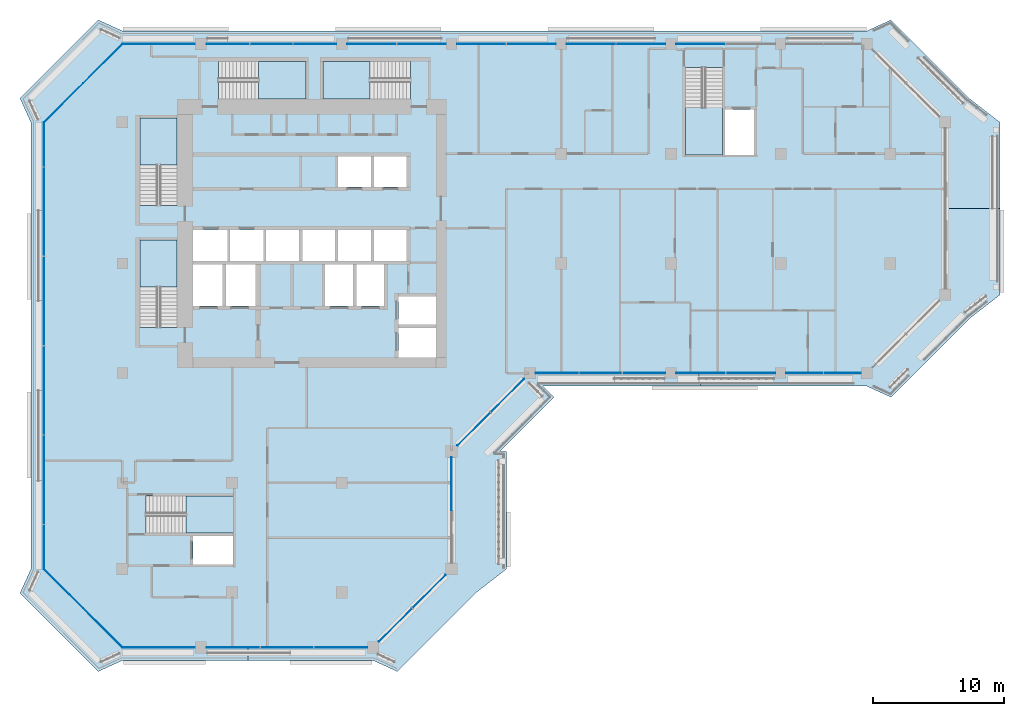
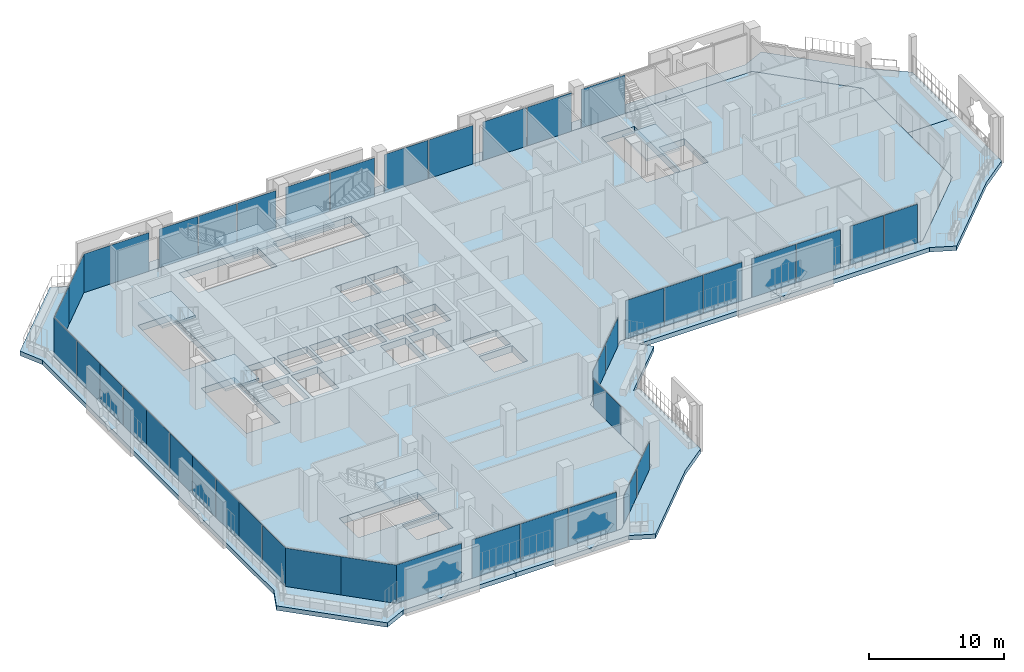
# One storey, part 8 of 20: 41 plates, 10 slabs, 15 elements without a shape of their own.
"""IFC4 building model written with IfcOpenShell, lengths in metres."""

from ifc_helpers import new_model, si_unit, direction, frame, origin, origin_2d, place, context, subcontext, project, spatial, polyline, rectangle, outline, extrude, material, layer, layer_set, type_object, element, aggregate, save


model = new_model("IFC4")

# Units and contexts
model_context = context("Model", 3, precision=1e-05, world=origin(), true_north=direction((0.0, 1.0)))
body_context = subcontext(model_context, "Body", "Model", "MODEL_VIEW")
ifc_project = project(units=[si_unit("LENGTHUNIT", "METRE"), si_unit("AREAUNIT", "SQUARE_METRE"), si_unit("VOLUMEUNIT", "CUBIC_METRE"), si_unit("PLANEANGLEUNIT", "RADIAN"), si_unit("MASSUNIT", "GRAM", prefix="KILO")], contexts=[model_context])

# Site, building, storey
site_placement = place(None, origin())
site = spatial("IfcSite", under=ifc_project, at=site_placement, CompositionType="ELEMENT")
building_placement = place(site_placement, origin())
building = spatial("IfcBuilding", under=site, at=building_placement, Name="Kawkab Arch Medical Tower", CompositionType="ELEMENT")
storey_placement = place(building_placement, frame((0.0, 0.0, 239.0)))
storey = spatial("IfcBuildingStorey", under=building, at=storey_placement, Name="L55", CompositionType="ELEMENT", Elevation=239.0)

# Curtain wall, plates
ifc_material_1 = material(Name="Bronze anodised aluminium curtain wall frame", Category="aluminium")
ifc_layer_1 = layer(ifc_material_1, 0.159912109375)
ifc_layer_set_1 = layer_set([ifc_layer_1], Name="Bronze anodised aluminium curtain wall frame")
curtain_wall_type_1 = type_object("IfcCurtainWallType", Name="CW1 ward curtain wall", PredefinedType="NOTDEFINED", material=ifc_layer_set_1)
placement_1 = place(storey_placement, origin())
curtain_wall_1 = element("IfcCurtainWall", 1, at=placement_1, inside=storey, type_object=curtain_wall_type_1, Name="CW1 Ward curtain wall R01", PredefinedType="NOTDEFINED")
ifc_material_2 = material(Name="Tinted insulating glass, bronze low-e coating", Category="glass")
ifc_layer_2 = layer(ifc_material_2, 0.031982421875)
ifc_layer_set_2 = layer_set([ifc_layer_2], Name="Tinted insulating glass, bronze low-e coating")
plate_type_1 = type_object("IfcPlateType", Name="CW1 glazing unit 32", PredefinedType="CURTAIN_PANEL", material=ifc_layer_set_2)
plate_1_placement = place(storey_placement, frame((-6.0, -7.695068359375, 0.0), z_axis=(0.0, 0.0, 1.0), x_axis=(0.0, -1.0, 0.0)))
plate_1 = element("IfcPlate", 2, at=plate_1_placement, type_object=plate_type_1, Name="CW1 glazing unit 1.1", PredefinedType="CURTAIN_PANEL", context=body_context, shape_type="SweptSolid", body=[
    extrude(rectangle(XDim=3.389892578125, YDim=0.031982421875, at=origin_2d()), origin(), (0.0, 0.0, 1.0), 3.47998046875),
])
plate_2_placement = place(storey_placement, frame((-6.0, -11.14501953125, 0.0), z_axis=(0.0, 0.0, 1.0), x_axis=(0.0, -1.0, 0.0)))
plate_2 = element("IfcPlate", 3, at=plate_2_placement, type_object=plate_type_1, Name="CW1 glazing unit 1.2", PredefinedType="CURTAIN_PANEL", context=body_context, shape_type="SweptSolid", body=[
    extrude(rectangle(XDim=3.389892578125, YDim=0.031982421875, at=origin_2d()), origin(), (0.0, 0.0, 1.0), 3.47998046875),
])
plate_3_placement = place(storey_placement, frame((-6.0, -14.534912109375, 0.0), z_axis=(0.0, 0.0, 1.0), x_axis=(0.0, -1.0, 0.0)))
plate_3 = element("IfcPlate", 4, at=plate_3_placement, type_object=plate_type_1, Name="CW1 glazing unit 2.1", PredefinedType="CURTAIN_PANEL", context=body_context, shape_type="SweptSolid", body=[
    extrude(rectangle(XDim=3.389892578125, YDim=0.031982421875, at=origin_2d()), origin(), (0.0, 0.0, 1.0), 3.47998046875),
])
plate_4_placement = place(storey_placement, frame((-6.0, -17.985107421875, 0.0), z_axis=(0.0, 0.0, 1.0), x_axis=(0.0, -1.0, 0.0)))
plate_4 = element("IfcPlate", 5, at=plate_4_placement, type_object=plate_type_1, Name="CW1 glazing unit 2.2", PredefinedType="CURTAIN_PANEL", context=body_context, shape_type="SweptSolid", body=[
    extrude(rectangle(XDim=3.389892578125, YDim=0.031982421875, at=origin_2d()), origin(), (0.0, 0.0, 1.0), 3.47998046875),
])
plate_5_placement = place(storey_placement, frame((-6.0, -21.375, 0.0), z_axis=(0.0, 0.0, 1.0), x_axis=(0.0, -1.0, 0.0)))
plate_5 = element("IfcPlate", 6, at=plate_5_placement, type_object=plate_type_1, Name="CW1 glazing unit 3.1", PredefinedType="CURTAIN_PANEL", context=body_context, shape_type="SweptSolid", body=[
    extrude(rectangle(XDim=3.389892578125, YDim=0.031982421875, at=origin_2d()), origin(), (0.0, 0.0, 1.0), 3.47998046875),
])
plate_6_placement = place(storey_placement, frame((-6.0, -24.824951171875, 0.0), z_axis=(0.0, 0.0, 1.0), x_axis=(0.0, -1.0, 0.0)))
plate_6 = element("IfcPlate", 7, at=plate_6_placement, type_object=plate_type_1, Name="CW1 glazing unit 3.2", PredefinedType="CURTAIN_PANEL", context=body_context, shape_type="SweptSolid", body=[
    extrude(rectangle(XDim=3.389892578125, YDim=0.031982421875, at=origin_2d()), origin(), (0.0, 0.0, 1.0), 3.47998046875),
])
plate_7_placement = place(storey_placement, frame((-6.0, -28.215087890625, 0.0), z_axis=(0.0, 0.0, 1.0), x_axis=(0.0, -1.0, 0.0)))
plate_7 = element("IfcPlate", 8, at=plate_7_placement, type_object=plate_type_1, Name="CW1 glazing unit 4.1", PredefinedType="CURTAIN_PANEL", context=body_context, shape_type="SweptSolid", body=[
    extrude(rectangle(XDim=3.389892578125, YDim=0.031982421875, at=origin_2d()), origin(), (0.0, 0.0, 1.0), 3.47998046875),
])
plate_8_placement = place(storey_placement, frame((-6.0, -31.6650390625, 0.0), z_axis=(0.0, 0.0, 1.0), x_axis=(0.0, -1.0, 0.0)))
plate_8 = element("IfcPlate", 9, at=plate_8_placement, type_object=plate_type_1, Name="CW1 glazing unit 4.2", PredefinedType="CURTAIN_PANEL", context=body_context, shape_type="SweptSolid", body=[
    extrude(rectangle(XDim=3.389892578125, YDim=0.031982421875, at=origin_2d()), origin(), (0.0, 0.0, 1.0), 3.47998046875),
])
plate_9_placement = place(storey_placement, frame((-6.0, -35.054931640625, 0.0), z_axis=(0.0, 0.0, 1.0), x_axis=(0.0, -1.0, 0.0)))
plate_9 = element("IfcPlate", 10, at=plate_9_placement, type_object=plate_type_1, Name="CW1 glazing unit 5.1", PredefinedType="CURTAIN_PANEL", context=body_context, shape_type="SweptSolid", body=[
    extrude(rectangle(XDim=3.389892578125, YDim=0.031982421875, at=origin_2d()), origin(), (0.0, 0.0, 1.0), 3.47998046875),
])
plate_10_placement = place(storey_placement, frame((-6.0, -38.5048828125, 0.0), z_axis=(0.0, 0.0, 1.0), x_axis=(0.0, -1.0, 0.0)))
plate_10 = element("IfcPlate", 11, at=plate_10_placement, type_object=plate_type_1, Name="CW1 glazing unit 5.2", PredefinedType="CURTAIN_PANEL", context=body_context, shape_type="SweptSolid", body=[
    extrude(rectangle(XDim=3.389892578125, YDim=0.031982421875, at=origin_2d()), origin(), (0.0, 0.0, 1.0), 3.47998046875),
])
aggregate(curtain_wall_1, [plate_1, plate_2, plate_3, plate_4, plate_5, plate_6, plate_7, plate_8, plate_9, plate_10])

curtain_wall_2 = element("IfcCurtainWall", 12, at=placement_1, inside=storey, type_object=curtain_wall_type_1, Name="CW1 Ward curtain wall R03", PredefinedType="NOTDEFINED")
plate_11_placement = place(storey_placement, frame((2.77490234375, -46.199951171875, 0.0), z_axis=(0.0, 0.0, 1.0), x_axis=(1.0, 0.0, 0.0)))
plate_11 = element("IfcPlate", 13, at=plate_11_placement, type_object=plate_type_1, Name="CW1 glazing unit 1.1", PredefinedType="CURTAIN_PANEL", context=body_context, shape_type="SweptSolid", body=[
    extrude(rectangle(XDim=5.550048828125, YDim=0.031982421875, at=origin_2d()), origin(), (0.0, 0.0, 1.0), 3.47998046875),
])
plate_12_placement = place(storey_placement, frame((8.485107421875, -46.199951171875, 0.0), z_axis=(0.0, 0.0, 1.0), x_axis=(1.0, 0.0, 0.0)))
plate_12 = element("IfcPlate", 14, at=plate_12_placement, type_object=plate_type_1, Name="CW1 glazing unit 2.1", PredefinedType="CURTAIN_PANEL", context=body_context, shape_type="SweptSolid", body=[
    extrude(rectangle(XDim=4.070068359375, YDim=0.031982421875, at=origin_2d()), origin(), (0.0, 0.0, 1.0), 3.47998046875),
])
plate_13_placement = place(storey_placement, frame((12.60009765625, -46.199951171875, 0.0), z_axis=(0.0, 0.0, 1.0), x_axis=(1.0, 0.0, 0.0)))
plate_13 = element("IfcPlate", 15, at=plate_13_placement, type_object=plate_type_1, Name="CW1 glazing unit 2.2", PredefinedType="CURTAIN_PANEL", context=body_context, shape_type="SweptSolid", body=[
    extrude(rectangle(XDim=4.0400390625, YDim=0.031982421875, at=origin_2d()), origin(), (0.0, 0.0, 1.0), 3.47998046875),
])
plate_14_placement = place(storey_placement, frame((16.715087890625, -46.199951171875, 0.0), z_axis=(0.0, 0.0, 1.0), x_axis=(1.0, 0.0, 0.0)))
plate_14 = element("IfcPlate", 16, at=plate_14_placement, type_object=plate_type_1, Name="CW1 glazing unit 2.3", PredefinedType="CURTAIN_PANEL", context=body_context, shape_type="SweptSolid", body=[
    extrude(rectangle(XDim=4.070068359375, YDim=0.031982421875, at=origin_2d()), origin(), (0.0, 0.0, 1.0), 3.47998046875),
])
aggregate(curtain_wall_2, [plate_11, plate_12, plate_13, plate_14])

# Curtain wall, plate
curtain_wall_3 = element("IfcCurtainWall", 17, at=placement_1, inside=storey, type_object=curtain_wall_type_1, Name="CW1 Ward curtain wall R05", PredefinedType="NOTDEFINED")
plate_15_placement = place(storey_placement, frame((25.199951171875, -33.675048828125, 0.0), z_axis=(0.0, 0.0, 1.0), x_axis=(0.0, 1.0, 0.0)))
plate_15 = element("IfcPlate", 18, at=plate_15_placement, type_object=plate_type_1, Name="CW1 glazing unit 1.2", PredefinedType="CURTAIN_PANEL", context=body_context, shape_type="SweptSolid", body=[
    extrude(rectangle(XDim=4.050048828125, YDim=0.031982421875, at=origin_2d()), origin(), (0.0, 0.0, 1.0), 2.580078125),
])
aggregate(curtain_wall_3, [plate_15])

# Curtain wall, plates
curtain_wall_4 = element("IfcCurtainWall", 19, at=placement_1, inside=storey, type_object=curtain_wall_type_1, Name="CW1 Ward curtain wall R07", PredefinedType="NOTDEFINED")
plate_16_placement = place(storey_placement, frame((33.2890625, -25.199951171875, 0.0), z_axis=(0.0, 0.0, 1.0), x_axis=(1.0, 0.0, 0.0)))
plate_16 = element("IfcPlate", 20, at=plate_16_placement, type_object=plate_type_1, Name="CW1 glazing unit 1.1", PredefinedType="CURTAIN_PANEL", context=body_context, shape_type="SweptSolid", body=[
    extrude(rectangle(XDim=3.2783203125, YDim=0.031982421875, at=origin_2d()), origin(), (0.0, 0.0, 1.0), 3.47998046875),
])
plate_17_placement = place(storey_placement, frame((36.612548828125, -25.199951171875, 0.0), z_axis=(0.0, 0.0, 1.0), x_axis=(1.0, 0.0, 0.0)))
plate_17 = element("IfcPlate", 21, at=plate_17_placement, type_object=plate_type_1, Name="CW1 glazing unit 1.2", PredefinedType="CURTAIN_PANEL", context=body_context, shape_type="SweptSolid", body=[
    extrude(rectangle(XDim=3.248291015625, YDim=0.031982421875, at=origin_2d()), origin(), (0.0, 0.0, 1.0), 3.47998046875),
])
plate_18_placement = place(storey_placement, frame((39.935791015625, -25.199951171875, 0.0), z_axis=(0.0, 0.0, 1.0), x_axis=(1.0, 0.0, 0.0)))
plate_18 = element("IfcPlate", 22, at=plate_18_placement, type_object=plate_type_1, Name="CW1 glazing unit 1.3", PredefinedType="CURTAIN_PANEL", context=body_context, shape_type="SweptSolid", body=[
    extrude(rectangle(XDim=3.2783203125, YDim=0.031982421875, at=origin_2d()), origin(), (0.0, 0.0, 1.0), 3.47998046875),
])
plate_19_placement = place(storey_placement, frame((44.297607421875, -25.199951171875, 0.0), z_axis=(0.0, 0.0, 1.0), x_axis=(1.0, 0.0, 0.0)))
plate_19 = element("IfcPlate", 23, at=plate_19_placement, type_object=plate_type_1, Name="CW1 glazing unit 2.1", PredefinedType="CURTAIN_PANEL", context=body_context, shape_type="SweptSolid", body=[
    extrude(rectangle(XDim=3.7451171875, YDim=0.031982421875, at=origin_2d()), origin(), (0.0, 0.0, 1.0), 3.47998046875),
])
plate_20_placement = place(storey_placement, frame((48.1025390625, -25.199951171875, 0.0), z_axis=(0.0, 0.0, 1.0), x_axis=(1.0, 0.0, 0.0)))
plate_20 = element("IfcPlate", 24, at=plate_20_placement, type_object=plate_type_1, Name="CW1 glazing unit 2.2", PredefinedType="CURTAIN_PANEL", context=body_context, shape_type="SweptSolid", body=[
    extrude(rectangle(XDim=3.7451171875, YDim=0.031982421875, at=origin_2d()), origin(), (0.0, 0.0, 1.0), 3.47998046875),
])
plate_21_placement = place(storey_placement, frame((52.2412109375, -25.199951171875, 0.0), z_axis=(0.0, 0.0, 1.0), x_axis=(1.0, 0.0, 0.0)))
plate_21 = element("IfcPlate", 25, at=plate_21_placement, type_object=plate_type_1, Name="CW1 glazing unit 3.1", PredefinedType="CURTAIN_PANEL", context=body_context, shape_type="SweptSolid", body=[
    extrude(rectangle(XDim=2.83251953125, YDim=0.031982421875, at=origin_2d()), origin(), (0.0, 0.0, 1.0), 3.47998046875),
])
plate_22_placement = place(storey_placement, frame((55.1337890625, -25.199951171875, 0.0), z_axis=(0.0, 0.0, 1.0), x_axis=(1.0, 0.0, 0.0)))
plate_22 = element("IfcPlate", 26, at=plate_22_placement, type_object=plate_type_1, Name="CW1 glazing unit 3.2", PredefinedType="CURTAIN_PANEL", context=body_context, shape_type="SweptSolid", body=[
    extrude(rectangle(XDim=2.83251953125, YDim=0.031982421875, at=origin_2d()), origin(), (0.0, 0.0, 1.0), 3.47998046875),
])
aggregate(curtain_wall_4, [plate_16, plate_17, plate_18, plate_19, plate_20, plate_21, plate_22])

curtain_wall_5 = element("IfcCurtainWall", 27, at=placement_1, inside=storey, type_object=curtain_wall_type_1, Name="CW1 Ward curtain wall R11", PredefinedType="NOTDEFINED")
plate_23_placement = place(storey_placement, frame((44.297607421875, 0.0, 0.0), z_axis=(0.0, 0.0, 1.0), x_axis=(-1.0, 0.0, 0.0)))
plate_23 = element("IfcPlate", 28, at=plate_23_placement, type_object=plate_type_1, Name="CW1 glazing unit 2.2", PredefinedType="CURTAIN_PANEL", context=body_context, shape_type="SweptSolid", body=[
    extrude(rectangle(XDim=3.7451171875, YDim=0.031982421875, at=origin_2d()), origin(), (0.0, 0.0, 1.0), 3.47998046875),
])
plate_24_placement = place(storey_placement, frame((39.702392578125, 0.0, 0.0), z_axis=(0.0, 0.0, 1.0), x_axis=(-1.0, 0.0, 0.0)))
plate_24 = element("IfcPlate", 29, at=plate_24_placement, type_object=plate_type_1, Name="CW1 glazing unit 3.1", PredefinedType="CURTAIN_PANEL", context=body_context, shape_type="SweptSolid", body=[
    extrude(rectangle(XDim=3.7451171875, YDim=0.031982421875, at=origin_2d()), origin(), (0.0, 0.0, 1.0), 3.47998046875),
])
plate_25_placement = place(storey_placement, frame((35.8974609375, 0.0, 0.0), z_axis=(0.0, 0.0, 1.0), x_axis=(-1.0, 0.0, 0.0)))
plate_25 = element("IfcPlate", 30, at=plate_25_placement, type_object=plate_type_1, Name="CW1 glazing unit 3.2", PredefinedType="CURTAIN_PANEL", context=body_context, shape_type="SweptSolid", body=[
    extrude(rectangle(XDim=3.7451171875, YDim=0.031982421875, at=origin_2d()), origin(), (0.0, 0.0, 1.0), 3.47998046875),
])
plate_26_placement = place(storey_placement, frame((31.302490234375, 0.0, 0.0), z_axis=(0.0, 0.0, 1.0), x_axis=(-1.0, 0.0, 0.0)))
plate_26 = element("IfcPlate", 31, at=plate_26_placement, type_object=plate_type_1, Name="CW1 glazing unit 4.1", PredefinedType="CURTAIN_PANEL", context=body_context, shape_type="SweptSolid", body=[
    extrude(rectangle(XDim=3.7451171875, YDim=0.031982421875, at=origin_2d()), origin(), (0.0, 0.0, 1.0), 3.47998046875),
])
plate_27_placement = place(storey_placement, frame((27.49755859375, 0.0, 0.0), z_axis=(0.0, 0.0, 1.0), x_axis=(-1.0, 0.0, 0.0)))
plate_27 = element("IfcPlate", 32, at=plate_27_placement, type_object=plate_type_1, Name="CW1 glazing unit 4.2", PredefinedType="CURTAIN_PANEL", context=body_context, shape_type="SweptSolid", body=[
    extrude(rectangle(XDim=3.7451171875, YDim=0.031982421875, at=origin_2d()), origin(), (0.0, 0.0, 1.0), 3.47998046875),
])
plate_28_placement = place(storey_placement, frame((22.902587890625, 0.0, 0.0), z_axis=(0.0, 0.0, 1.0), x_axis=(-1.0, 0.0, 0.0)))
plate_28 = element("IfcPlate", 33, at=plate_28_placement, type_object=plate_type_1, Name="CW1 glazing unit 5.1", PredefinedType="CURTAIN_PANEL", context=body_context, shape_type="SweptSolid", body=[
    extrude(rectangle(XDim=3.7451171875, YDim=0.031982421875, at=origin_2d()), origin(), (0.0, 0.0, 1.0), 3.47998046875),
])
plate_29_placement = place(storey_placement, frame((19.097412109375, 0.0, 0.0), z_axis=(0.0, 0.0, 1.0), x_axis=(-1.0, 0.0, 0.0)))
plate_29 = element("IfcPlate", 34, at=plate_29_placement, type_object=plate_type_1, Name="CW1 glazing unit 5.2", PredefinedType="CURTAIN_PANEL", context=body_context, shape_type="SweptSolid", body=[
    extrude(rectangle(XDim=3.7451171875, YDim=0.031982421875, at=origin_2d()), origin(), (0.0, 0.0, 1.0), 3.47998046875),
])
plate_30_placement = place(storey_placement, frame((14.73583984375, 0.0, 0.0), z_axis=(0.0, 0.0, 1.0), x_axis=(-1.0, 0.0, 0.0)))
plate_30 = element("IfcPlate", 35, at=plate_30_placement, type_object=plate_type_1, Name="CW1 glazing unit 6.1", PredefinedType="CURTAIN_PANEL", context=body_context, shape_type="SweptSolid", body=[
    extrude(rectangle(XDim=3.2783203125, YDim=0.031982421875, at=origin_2d()), origin(), (0.0, 0.0, 1.0), 3.47998046875),
])
plate_31_placement = place(storey_placement, frame((11.41259765625, 0.0, 0.0), z_axis=(0.0, 0.0, 1.0), x_axis=(-1.0, 0.0, 0.0)))
plate_31 = element("IfcPlate", 36, at=plate_31_placement, type_object=plate_type_1, Name="CW1 glazing unit 6.2", PredefinedType="CURTAIN_PANEL", context=body_context, shape_type="SweptSolid", body=[
    extrude(rectangle(XDim=3.248291015625, YDim=0.031982421875, at=origin_2d()), origin(), (0.0, 0.0, 1.0), 3.47998046875),
])
plate_32_placement = place(storey_placement, frame((8.089111328125, 0.0, 0.0), z_axis=(0.0, 0.0, 1.0), x_axis=(-1.0, 0.0, 0.0)))
plate_32 = element("IfcPlate", 37, at=plate_32_placement, type_object=plate_type_1, Name="CW1 glazing unit 6.3", PredefinedType="CURTAIN_PANEL", context=body_context, shape_type="SweptSolid", body=[
    extrude(rectangle(XDim=3.2783203125, YDim=0.031982421875, at=origin_2d()), origin(), (0.0, 0.0, 1.0), 3.47998046875),
])
plate_33_placement = place(storey_placement, frame((2.77490234375, 0.0, 0.0), z_axis=(0.0, 0.0, 1.0), x_axis=(-1.0, 0.0, 0.0)))
plate_33 = element("IfcPlate", 38, at=plate_33_placement, type_object=plate_type_1, Name="CW1 glazing unit 7.1", PredefinedType="CURTAIN_PANEL", context=body_context, shape_type="SweptSolid", body=[
    extrude(rectangle(XDim=5.550048828125, YDim=0.031982421875, at=origin_2d()), origin(), (0.0, 0.0, 1.0), 3.47998046875),
])
aggregate(curtain_wall_5, [plate_23, plate_24, plate_25, plate_26, plate_27, plate_28, plate_29, plate_30, plate_31, plate_32, plate_33])

ifc_material_3 = material(Name="Bronze anodised aluminium curtain wall frame", Category="aluminium")
ifc_layer_3 = layer(ifc_material_3, 0.159912109375)
ifc_layer_set_3 = layer_set([ifc_layer_3], Name="Bronze anodised aluminium curtain wall frame")
curtain_wall_type_2 = type_object("IfcCurtainWallType", Name="CW2 chamfer curtain wall", PredefinedType="NOTDEFINED", material=ifc_layer_set_3)
curtain_wall_6 = element("IfcCurtainWall", 39, at=placement_1, inside=storey, type_object=curtain_wall_type_2, Name="CW2 Chamfer curtain wall R02", PredefinedType="NOTDEFINED")
ifc_material_4 = material(Name="Tinted insulating glass, bronze low-e coating", Category="glass")
ifc_layer_4 = layer(ifc_material_4, 0.031982421875)
ifc_layer_set_4 = layer_set([ifc_layer_4], Name="Tinted insulating glass, bronze low-e coating")
plate_type_2 = type_object("IfcPlateType", Name="CW2 glazing unit 32", PredefinedType="CURTAIN_PANEL", material=ifc_layer_set_4)
plate_34_placement = place(storey_placement, frame((-4.5, -41.699951171875, 0.0), z_axis=(0.0, 0.0, 1.0), x_axis=(0.707106781187, -0.707106781187, 0.0)))
plate_34 = element("IfcPlate", 40, at=plate_34_placement, type_object=plate_type_2, Name="CW2 glazing unit 1.1", PredefinedType="CURTAIN_PANEL", context=body_context, shape_type="SweptSolid", body=[
    extrude(rectangle(XDim=4.24267578125, YDim=0.031982421875, at=origin_2d()), origin(), (0.0, 0.0, 1.0), 3.4599609375),
])
plate_35_placement = place(storey_placement, frame((-1.5, -44.699951171875, 0.0), z_axis=(0.0, 0.0, 1.0), x_axis=(0.707106781187, -0.707106781187, 0.0)))
plate_35 = element("IfcPlate", 41, at=plate_35_placement, type_object=plate_type_2, Name="CW2 glazing unit 2.1", PredefinedType="CURTAIN_PANEL", context=body_context, shape_type="SweptSolid", body=[
    extrude(rectangle(XDim=4.24267578125, YDim=0.031982421875, at=origin_2d()), origin(), (0.0, 0.0, 1.0), 3.4599609375),
])
aggregate(curtain_wall_6, [plate_34, plate_35])

curtain_wall_7 = element("IfcCurtainWall", 42, at=placement_1, inside=storey, type_object=curtain_wall_type_2, Name="CW2 Chamfer curtain wall R04", PredefinedType="NOTDEFINED")
plate_36_placement = place(storey_placement, frame((20.914306640625, -44.485595703125, 0.0), z_axis=(0.0, 0.0, 1.0), x_axis=(0.707106781187, 0.707106781187, 0.0)))
plate_36 = element("IfcPlate", 43, at=plate_36_placement, type_object=plate_type_2, Name="CW2 glazing unit 1.1", PredefinedType="CURTAIN_PANEL", context=body_context, shape_type="SweptSolid", body=[
    extrude(rectangle(XDim=3.576171875, YDim=0.031982421875, at=origin_2d()), origin(), (0.0, 0.0, 1.0), 2.56005859375),
])
plate_37_placement = place(storey_placement, frame((23.485595703125, -41.914306640625, 0.0), z_axis=(0.0, 0.0, 1.0), x_axis=(0.707106781187, 0.707106781187, 0.0)))
plate_37 = element("IfcPlate", 44, at=plate_37_placement, type_object=plate_type_2, Name="CW2 glazing unit 1.2", PredefinedType="CURTAIN_PANEL", context=body_context, shape_type="SweptSolid", body=[
    extrude(rectangle(XDim=3.576171875, YDim=0.031982421875, at=origin_2d()), origin(), (0.0, 0.0, 1.0), 2.56005859375),
])
aggregate(curtain_wall_7, [plate_36, plate_37])

curtain_wall_8 = element("IfcCurtainWall", 45, at=placement_1, inside=storey, type_object=curtain_wall_type_2, Name="CW2 Chamfer curtain wall R06", PredefinedType="NOTDEFINED")
plate_38_placement = place(storey_placement, frame((26.914306640625, -29.485595703125, 0.0), z_axis=(0.0, 0.0, 1.0), x_axis=(0.707106781187, 0.707106781187, 0.0)))
plate_38 = element("IfcPlate", 46, at=plate_38_placement, type_object=plate_type_2, Name="CW2 glazing unit 1.1", PredefinedType="CURTAIN_PANEL", context=body_context, shape_type="SweptSolid", body=[
    extrude(rectangle(XDim=3.576171875, YDim=0.031982421875, at=origin_2d()), origin(), (0.0, 0.0, 1.0), 2.56005859375),
])
plate_39_placement = place(storey_placement, frame((29.485595703125, -26.914306640625, 0.0), z_axis=(0.0, 0.0, 1.0), x_axis=(0.707106781187, 0.707106781187, 0.0)))
plate_39 = element("IfcPlate", 47, at=plate_39_placement, type_object=plate_type_2, Name="CW2 glazing unit 1.2", PredefinedType="CURTAIN_PANEL", context=body_context, shape_type="SweptSolid", body=[
    extrude(rectangle(XDim=3.576171875, YDim=0.031982421875, at=origin_2d()), origin(), (0.0, 0.0, 1.0), 2.56005859375),
])
aggregate(curtain_wall_8, [plate_38, plate_39])

curtain_wall_9 = element("IfcCurtainWall", 48, at=placement_1, inside=storey, type_object=curtain_wall_type_2, Name="CW2 Chamfer curtain wall R12", PredefinedType="NOTDEFINED")
plate_40_placement = place(storey_placement, frame((-1.5, -1.5, 0.0), z_axis=(0.0, 0.0, 1.0), x_axis=(-0.707106781187, -0.707106781187, 0.0)))
plate_40 = element("IfcPlate", 49, at=plate_40_placement, type_object=plate_type_2, Name="CW2 glazing unit 1.1", PredefinedType="CURTAIN_PANEL", context=body_context, shape_type="SweptSolid", body=[
    extrude(rectangle(XDim=4.24267578125, YDim=0.031982421875, at=origin_2d()), origin(), (0.0, 0.0, 1.0), 3.4599609375),
])
plate_41_placement = place(storey_placement, frame((-4.5, -4.5, 0.0), z_axis=(0.0, 0.0, 1.0), x_axis=(-0.707106781187, -0.707106781187, 0.0)))
plate_41 = element("IfcPlate", 50, at=plate_41_placement, type_object=plate_type_2, Name="CW2 glazing unit 2.1", PredefinedType="CURTAIN_PANEL", context=body_context, shape_type="SweptSolid", body=[
    extrude(rectangle(XDim=4.24267578125, YDim=0.031982421875, at=origin_2d()), origin(), (0.0, 0.0, 1.0), 3.4599609375),
])
aggregate(curtain_wall_9, [plate_40, plate_41])

# Stair, slab
ifc_material_5 = material(Name="Concrete C40/50", Category="concrete")
stair_type = type_object("IfcStairType", Name="Exit stair 1350", PredefinedType="HALF_TURN_STAIR", material=ifc_material_5)
stair_1 = element("IfcStair", 51, at=placement_1, inside=storey, type_object=stair_type, Name="L55 Exit stair ST1", PredefinedType="HALF_TURN_STAIR")
ifc_material_6 = material(Name="Concrete C40/50", Category="concrete")
ifc_layer_5 = layer(ifc_material_6, 0.199951171875)
ifc_layer_set_5 = layer_set([ifc_layer_5], Name="Concrete C40/50")
slab_type_1 = type_object("IfcSlabType", Name="Exit stair landing 200", PredefinedType="LANDING", material=ifc_layer_set_5)
placement_2 = place(storey_placement, frame((0.0, 0.0, 1.89990234375)))
slab_1 = element("IfcSlab", 52, at=placement_2, type_object=slab_type_1, Name="ST1 landing 1", PredefinedType="LANDING", context=body_context, shape_type="SweptSolid", body=[
    extrude(outline(polyline([(4.199951171875, -9.27001953125), (4.199951171875, -5.64990234375), (1.35009765625, -5.64990234375), (1.35009765625, -9.27001953125), (4.199951171875, -9.27001953125)])), origin(), (0.0, 0.0, 1.0), 0.2001953125),
])
aggregate(stair_1, [slab_1])

stair_2 = element("IfcStair", 53, at=placement_1, inside=storey, type_object=stair_type, Name="L55 Exit stair ST2", PredefinedType="HALF_TURN_STAIR")
slab_2 = element("IfcSlab", 54, at=placement_2, type_object=slab_type_1, Name="ST2 landing 1", PredefinedType="LANDING", context=body_context, shape_type="SweptSolid", body=[
    extrude(outline(polyline([(4.199951171875, -18.6201171875), (4.199951171875, -15.0), (1.35009765625, -15.0), (1.35009765625, -18.6201171875), (4.199951171875, -18.6201171875)])), origin(), (0.0, 0.0, 1.0), 0.2001953125),
])
aggregate(stair_2, [slab_2])

stair_3 = element("IfcStair", 55, at=placement_1, inside=storey, type_object=stair_type, Name="L55 Exit stair ST3", PredefinedType="HALF_TURN_STAIR")
slab_3 = element("IfcSlab", 56, at=placement_2, type_object=slab_type_1, Name="ST3 landing 1", PredefinedType="LANDING", context=body_context, shape_type="SweptSolid", body=[
    extrude(outline(polyline([(10.429931640625, -4.199951171875), (14.050048828125, -4.199951171875), (14.050048828125, -1.35009765625), (10.429931640625, -1.35009765625), (10.429931640625, -4.199951171875)])), origin(), (0.0, 0.0, 1.0), 0.2001953125),
])
aggregate(stair_3, [slab_3])

stair_4 = element("IfcStair", 57, at=placement_1, inside=storey, type_object=stair_type, Name="L55 Exit stair ST4", PredefinedType="HALF_TURN_STAIR")
slab_4 = element("IfcSlab", 58, at=placement_2, type_object=slab_type_1, Name="ST4 landing 1", PredefinedType="LANDING", context=body_context, shape_type="SweptSolid", body=[
    extrude(outline(polyline([(18.969970703125, -1.35009765625), (15.35009765625, -1.35009765625), (15.35009765625, -4.199951171875), (18.969970703125, -4.199951171875), (18.969970703125, -1.35009765625)])), origin(), (0.0, 0.0, 1.0), 0.2001953125),
])
aggregate(stair_4, [slab_4])

stair_5 = element("IfcStair", 59, at=placement_1, inside=storey, type_object=stair_type, Name="L55 Exit stair ST5", PredefinedType="HALF_TURN_STAIR")
slab_5 = element("IfcSlab", 60, at=placement_2, type_object=slab_type_1, Name="ST5 landing 1", PredefinedType="LANDING", context=body_context, shape_type="SweptSolid", body=[
    extrude(outline(polyline([(43.10009765625, -4.8798828125), (43.10009765625, -8.5), (45.949951171875, -8.5), (45.949951171875, -4.8798828125), (43.10009765625, -4.8798828125)])), origin(), (0.0, 0.0, 1.0), 0.2001953125),
])
aggregate(stair_5, [slab_5])

stair_6 = element("IfcStair", 61, at=placement_1, inside=storey, type_object=stair_type, Name="L55 Exit stair ST6", PredefinedType="HALF_TURN_STAIR")
slab_6 = element("IfcSlab", 62, at=placement_2, type_object=slab_type_1, Name="ST6 landing 1", PredefinedType="LANDING", context=body_context, shape_type="SweptSolid", body=[
    extrude(outline(polyline([(4.8798828125, -37.449951171875), (8.5, -37.449951171875), (8.5, -34.60009765625), (4.8798828125, -34.60009765625), (4.8798828125, -37.449951171875)])), origin(), (0.0, 0.0, 1.0), 0.2001953125),
])
aggregate(stair_6, [slab_6])

# Slabs
ifc_material_7 = material(Name="Concrete C45/55", Category="concrete")
ifc_layer_6 = layer(ifc_material_7, 0.60009765625)
ifc_layer_set_6 = layer_set([ifc_layer_6], Name="Concrete C45/55")
slab_type_2 = type_object("IfcSlabType", Name="Flat plate 600 C45/55", PredefinedType="FLOOR", material=ifc_layer_set_6)
slab_7_placement = place(storey_placement, frame((0.0, 0.0, -0.60009765625)))
element("IfcSlab", 63, at=slab_7_placement, inside=storey, type_object=slab_type_2, Name="Floor slab L55", PredefinedType="FLOOR", context=body_context, shape_type="SweptSolid", body=[
    extrude(outline(polyline([(0.0, 0.0), (57.0, 0.0), (63.0, -6.0), (63.0, -19.199951171875), (57.0, -25.199951171875), (31.199951171875, -25.199951171875), (25.199951171875, -31.199951171875), (25.199951171875, -40.199951171875), (19.199951171875, -46.199951171875), (0.0, -46.199951171875), (-6.0, -40.199951171875), (-6.0, -6.0), (0.0, 0.0)]), holes=[polyline([(5.425048828125, -37.64990234375), (5.425048828125, -39.85009765625), (8.5, -39.85009765625), (8.5, -37.64990234375), (5.425048828125, -37.64990234375)]), polyline([(8.5, -37.449951171875), (8.5, -34.60009765625), (1.800048828125, -34.60009765625), (1.800048828125, -37.449951171875), (8.5, -37.449951171875)]), polyline([(5.39990234375, -20.050048828125), (7.675048828125, -20.050048828125), (7.675048828125, -16.89990234375), (5.39990234375, -16.89990234375), (5.39990234375, -20.050048828125)]), polyline([(10.199951171875, -20.050048828125), (10.199951171875, -16.89990234375), (7.925048828125, -16.89990234375), (7.925048828125, -20.050048828125), (10.199951171875, -20.050048828125)]), polyline([(4.199951171875, -21.699951171875), (4.199951171875, -15.0), (1.35009765625, -15.0), (1.35009765625, -21.699951171875), (4.199951171875, -21.699951171875)]), polyline([(5.39990234375, -16.60009765625), (8.050048828125, -16.60009765625), (8.050048828125, -14.25), (5.39990234375, -14.25), (5.39990234375, -16.60009765625)]), polyline([(10.800048828125, -14.25), (8.25, -14.25), (8.25, -16.60009765625), (10.800048828125, -16.60009765625), (10.800048828125, -14.25)]), polyline([(13.52490234375, -14.25), (11.0, -14.25), (11.0, -16.60009765625), (13.52490234375, -16.60009765625), (13.52490234375, -14.25)]), polyline([(16.27490234375, -16.60009765625), (16.27490234375, -14.25), (13.77490234375, -14.25), (13.77490234375, -16.60009765625), (16.27490234375, -16.60009765625)]), polyline([(4.199951171875, -12.35009765625), (4.199951171875, -5.64990234375), (1.35009765625, -5.64990234375), (1.35009765625, -12.35009765625), (4.199951171875, -12.35009765625)]), polyline([(7.35009765625, -4.199951171875), (14.050048828125, -4.199951171875), (14.050048828125, -1.35009765625), (7.35009765625, -1.35009765625), (7.35009765625, -4.199951171875)]), polyline([(24.0, -21.72509765625), (21.14990234375, -21.72509765625), (21.14990234375, -24.0), (24.0, -24.0), (24.0, -21.72509765625)]), polyline([(24.0, -19.35009765625), (21.14990234375, -19.35009765625), (21.14990234375, -21.47509765625), (24.0, -21.47509765625), (24.0, -19.35009765625)]), polyline([(17.675048828125, -20.050048828125), (17.675048828125, -16.89990234375), (15.52490234375, -16.89990234375), (15.52490234375, -20.050048828125), (17.675048828125, -20.050048828125)]), polyline([(20.050048828125, -20.050048828125), (20.050048828125, -16.89990234375), (17.925048828125, -16.89990234375), (17.925048828125, -20.050048828125), (20.050048828125, -20.050048828125)]), polyline([(16.52490234375, -14.25), (16.52490234375, -16.60009765625), (19.02490234375, -16.60009765625), (19.02490234375, -14.25), (16.52490234375, -14.25)]), polyline([(19.27490234375, -16.60009765625), (21.75, -16.60009765625), (21.75, -14.25), (19.27490234375, -14.25), (19.27490234375, -16.60009765625)]), polyline([(16.5, -10.949951171875), (19.050048828125, -10.949951171875), (19.050048828125, -8.60009765625), (16.5, -8.60009765625), (16.5, -10.949951171875)]), polyline([(19.25, -10.949951171875), (21.75, -10.949951171875), (21.75, -8.60009765625), (19.25, -8.60009765625), (19.25, -10.949951171875)]), polyline([(46.14990234375, -8.5), (48.35009765625, -8.5), (48.35009765625, -5.02490234375), (46.14990234375, -5.02490234375), (46.14990234375, -8.5)]), polyline([(43.10009765625, -1.800048828125), (43.10009765625, -8.5), (45.949951171875, -8.5), (45.949951171875, -1.800048828125), (43.10009765625, -1.800048828125)]), polyline([(22.050048828125, -1.35009765625), (15.35009765625, -1.35009765625), (15.35009765625, -4.199951171875), (22.050048828125, -4.199951171875), (22.050048828125, -1.35009765625)])]), origin(), (0.0, 0.0, 1.0), 0.60009765625),
])
ifc_material_8 = material(Name="Concrete C40/50", Category="concrete")
ifc_layer_7 = layer(ifc_material_8, 0.39990234375)
ifc_layer_set_7 = layer_set([ifc_layer_7], Name="Concrete C40/50")
slab_type_3 = type_object("IfcSlabType", Name="Loggia slab 400", PredefinedType="FLOOR", material=ifc_layer_set_7)
placement_3 = place(storey_placement, frame((0.0, 0.0, -0.39990234375)))
element("IfcSlab", 64, at=placement_3, inside=storey, type_object=slab_type_3, Name="Loggia slab L55.1", PredefinedType="FLOOR", context=body_context, shape_type="SweptSolid", body=[
    extrude(outline(polyline([(9.60009765625, -46.200927734375), (19.199951171875, -46.200927734375), (19.199951171875, -46.199951171875), (25.199951171875, -40.199951171875), (25.199951171875, -31.199951171875), (31.199951171875, -25.199951171875), (44.10009765625, -25.199951171875), (44.2880859375, -26.199951171875), (32.198974609375, -26.199951171875), (33.037109375, -27.0380859375), (28.8759765625, -31.199951171875), (29.39990234375, -31.199951171875), (29.39990234375, -40.199951171875), (27.0380859375, -42.0380859375), (21.0380859375, -48.0380859375), (19.199951171875, -47.199951171875), (9.60009765625, -47.199951171875), (9.60009765625, -46.200927734375)])), origin(), (0.0, 0.0, 1.0), 0.39990234375),
])
element("IfcSlab", 65, at=placement_3, inside=storey, type_object=slab_type_3, Name="Loggia slab L55.2", PredefinedType="FLOOR", context=body_context, shape_type="SweptSolid", body=[
    extrude(outline(polyline([(64.837890625, -21.0380859375), (58.837890625, -27.0380859375), (57.0, -26.199951171875), (44.2890625, -26.199951171875), (44.10009765625, -25.199951171875), (57.0, -25.199951171875), (63.0, -19.199951171875), (63.0009765625, -19.199951171875), (63.0009765625, -12.60009765625), (67.199951171875, -12.60009765625), (67.199951171875, -19.199951171875), (64.837890625, -21.0380859375)])), origin(), (0.0, 0.0, 1.0), 0.39990234375),
])
element("IfcSlab", 66, at=placement_3, inside=storey, type_object=slab_type_3, Name="Loggia slab L55.4", PredefinedType="FLOOR", context=body_context, shape_type="SweptSolid", body=[
    extrude(outline(polyline([(-7.837890625, -42.037109375), (-7.0, -40.199951171875), (-7.0, -6.0), (-7.837890625, -4.1630859375), (-1.8369140625, 1.837890625), (0.0, 1.0), (57.0, 1.0), (58.8369140625, 1.837890625), (64.837890625, -4.162109375), (67.198974609375, -5.9990234375), (67.198974609375, -6.0009765625), (67.199951171875, -6.0009765625), (67.199951171875, -12.59912109375), (67.198974609375, -12.59912109375), (67.198974609375, -12.60009765625), (63.001953125, -12.60009765625), (63.001953125, -12.59912109375), (63.0009765625, -12.59912109375), (63.0009765625, -6.0), (57.0, 0.0009765625), (0.0, 0.0009765625), (-6.0, -6.0), (-6.0, -40.199951171875), (0.0, -46.200927734375), (9.59912109375, -46.200927734375), (9.59912109375, -46.201904296875), (9.60009765625, -46.201904296875), (9.60009765625, -47.198974609375), (9.59912109375, -47.198974609375), (9.59912109375, -47.199951171875), (0.0, -47.199951171875), (-1.8369140625, -48.0380859375), (-7.837890625, -42.037109375)])), origin(), (0.0, 0.0, 1.0), 0.39990234375),
])

save(model, "model.ifc")
